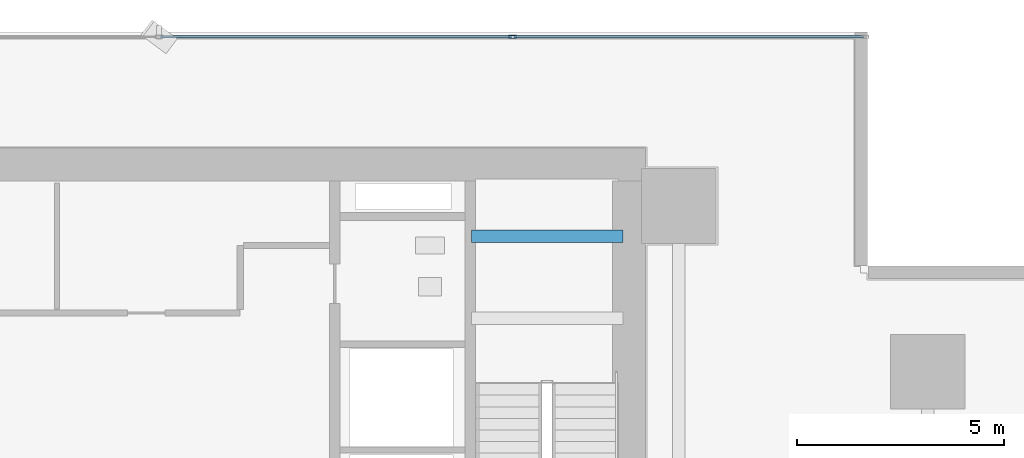
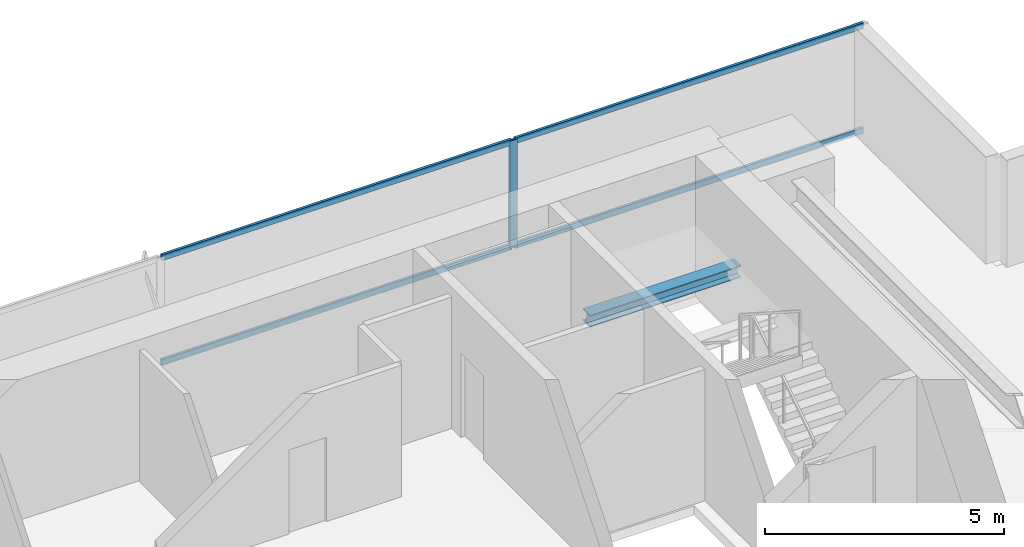
# One storey, part 22 of 34: 5 members, 1 beam, 1 element without a shape of its own.
"""IFC4 building model written with IfcOpenShell, lengths in metres."""

from ifc_helpers import new_model, si_unit, direction, frame, origin, origin_2d, place, context, subcontext, project, spatial, hollow_rectangle, i_section, extrude, source, transform, mapped, material, layer, layer_set, material_profile, profile_set, type_object, element, aggregate, save


model = new_model("IFC4")

# Units and contexts
model_context = context("Model", 3, precision=1e-05, world=origin(), true_north=direction((0.0, 1.0)))
body_context = subcontext(model_context, "Body", "Model", "MODEL_VIEW")
ifc_project = project(units=[si_unit("LENGTHUNIT", "METRE"), si_unit("AREAUNIT", "SQUARE_METRE"), si_unit("VOLUMEUNIT", "CUBIC_METRE"), si_unit("PLANEANGLEUNIT", "RADIAN"), si_unit("MASSUNIT", "GRAM", prefix="KILO")], contexts=[model_context])

# Site, building, storey
site_placement = place(None, origin())
site = spatial("IfcSite", under=ifc_project, at=site_placement, CompositionType="ELEMENT")
building_placement = place(site_placement, origin())
building = spatial("IfcBuilding", under=site, at=building_placement, Name="Sumidabori Civic Tower", CompositionType="ELEMENT")
storey_placement = place(building_placement, frame((0.0, 0.0, 41.60009765625)))
storey = spatial("IfcBuildingStorey", under=building, at=storey_placement, Name="L10", CompositionType="ELEMENT", Elevation=41.60009765625)

# Beam
ifc_material_1 = material(Name="Steel SN490", Category="steel")
ifc_material_profile_1 = material_profile(ifc_material_1, i_section(OverallWidth=0.300048828125, OverallDepth=0.300048828125, WebThickness=0.010986328125, FlangeThickness=0.01904296875, at=origin_2d()), Name="HE 300 B")
ifc_profile_set_1 = profile_set([ifc_material_profile_1], Name="Steel SN490")
beam_type = type_object("IfcBeamType", Name="BM-LDG-300", PredefinedType="BEAM", material=ifc_profile_set_1)
shared_shape_1 = source(origin(), body_context, "Body", "SweptSolid", [
    extrude(i_section(OverallWidth=0.300048828125, OverallDepth=0.300048828125, WebThickness=0.010986328125, FlangeThickness=0.01904296875, at=origin_2d()), origin(), (0.0, 0.0, 1.0), 3.64990234375),
])
beam_placement = place(storey_placement, frame((11.800048828125, 22.069580078125, 1.449951171875), z_axis=(1.0, 0.0, 0.0), x_axis=(0.0, 1.0, 0.0)))
element("IfcBeam", 1, at=beam_placement, inside=storey, type_object=beam_type, Name="Stair ST-2 Landing Trimmer Beam L10-1B", PredefinedType="BEAM", context=body_context, shape_type="MappedRepresentation", body=[
    mapped(shared_shape_1, transform((0.0, 0.0, 0.0), x_axis=(1.0, 0.0, 0.0), y_axis=(0.0, 1.0, 0.0), z_axis=(0.0, 0.0, 1.0), scale=1.0)),
])

# Curtain wall, members
ifc_material_2 = material(Name="Anodised Bronze Aluminium AW-6063-T6", Category="aluminium")
ifc_layer = layer(ifc_material_2, 0.179931640625, Name="Anodised Bronze Aluminium AW-6063-T6")
ifc_layer_set = layer_set([ifc_layer], Name="Anodised Bronze Aluminium AW-6063-T6")
curtain_wall_type = type_object("IfcCurtainWallType", Name="CW-SYS-2", PredefinedType="NOTDEFINED", material=ifc_layer_set)
curtain_wall_placement = place(storey_placement, origin())
curtain_wall = element("IfcCurtainWall", 2, at=curtain_wall_placement, inside=storey, type_object=curtain_wall_type, Name="Curtain Wall CW:L10:R07", PredefinedType="NOTDEFINED")
ifc_material_profile_2 = material_profile(ifc_material_2, hollow_rectangle(XDim=0.070068359375, YDim=0.179931640625, WallThickness=0.006103515625, at=origin_2d()), Name="ALU MULLION 180x70")
ifc_profile_set_2 = profile_set([ifc_material_profile_2], Name="Anodised Bronze Aluminium AW-6063-T6")
member_type_1 = type_object("IfcMemberType", Name="CW-MUL-180", PredefinedType="MULLION", material=ifc_profile_set_2)
shared_shape_2 = source(origin(), body_context, "Body", "SweptSolid", [
    extrude(hollow_rectangle(XDim=0.070068359375, YDim=0.179931640625, WallThickness=0.006103515625, at=origin_2d()), origin(), (0.0, 0.0, 1.0), 2.739990234375),
])
member_1_placement = place(storey_placement, frame((12.7919921875, 26.8798828125, 0.0), z_axis=(0.0, 0.0, 1.0), x_axis=(0.0, -1.0, 0.0)))
member_1 = element("IfcMember", 3, at=member_1_placement, type_object=member_type_1, Name="CW-2 mullion 2", PredefinedType="MULLION", context=body_context, shape_type="MappedRepresentation", body=[
    mapped(shared_shape_2, transform((0.0, 0.0, 0.0), x_axis=(1.0, 0.0, 0.0), y_axis=(0.0, 1.0, 0.0), z_axis=(0.0, 0.0, 1.0), scale=1.0)),
])
ifc_material_profile_3 = material_profile(ifc_material_2, hollow_rectangle(XDim=0.06494140625, YDim=0.14990234375, WallThickness=0.0048828125, at=origin_2d()), Name="ALU TRANSOM 150x65")
ifc_profile_set_3 = profile_set([ifc_material_profile_3], Name="Anodised Bronze Aluminium AW-6063-T6")
member_type_2 = type_object("IfcMemberType", Name="CW-TRN-150", PredefinedType="USERDEFINED", material=ifc_profile_set_3)
shared_shape_3 = source(origin(), body_context, "Body", "SweptSolid", [
    extrude(hollow_rectangle(XDim=0.06494140625, YDim=0.14990234375, WallThickness=0.0048828125, at=origin_2d()), origin(), (0.0, 0.0, 1.0), 8.423095703125),
])
member_2_placement = place(storey_placement, frame((21.25, 26.8798828125, 0.032470703125), z_axis=(-1.0, 0.0, 0.0), x_axis=(0.0, -1.0, 0.0)))
member_2 = element("IfcMember", 4, at=member_2_placement, type_object=member_type_2, Name="CW-2 transom 1.1", ObjectType="TRANSOM", PredefinedType="USERDEFINED", context=body_context, shape_type="MappedRepresentation", body=[
    mapped(shared_shape_3, transform((0.0, 0.0, 0.0), x_axis=(1.0, 0.0, 0.0), y_axis=(0.0, 1.0, 0.0), z_axis=(0.0, 0.0, 1.0), scale=1.0)),
])
member_3_placement = place(storey_placement, frame((21.25, 26.8798828125, 2.70751953125), z_axis=(-1.0, 0.0, 0.0), x_axis=(0.0, -1.0, 0.0)))
member_3 = element("IfcMember", 5, at=member_3_placement, type_object=member_type_2, Name="CW-2 transom 1.2", ObjectType="TRANSOM", PredefinedType="USERDEFINED", context=body_context, shape_type="MappedRepresentation", body=[
    mapped(shared_shape_3, transform((0.0, 0.0, 0.0), x_axis=(1.0, 0.0, 0.0), y_axis=(0.0, 1.0, 0.0), z_axis=(0.0, 0.0, 1.0), scale=1.0)),
])
shared_shape_4 = source(origin(), body_context, "Body", "SweptSolid", [
    extrude(hollow_rectangle(XDim=0.06494140625, YDim=0.14990234375, WallThickness=0.0048828125, at=origin_2d()), origin(), (0.0, 0.0, 1.0), 8.4580078125),
])
member_4_placement = place(storey_placement, frame((12.757080078125, 26.8798828125, 0.032470703125), z_axis=(-1.0, 0.0, 0.0), x_axis=(0.0, -1.0, 0.0)))
member_4 = element("IfcMember", 6, at=member_4_placement, type_object=member_type_2, Name="CW-2 transom 2.1", ObjectType="TRANSOM", PredefinedType="USERDEFINED", context=body_context, shape_type="MappedRepresentation", body=[
    mapped(shared_shape_4, transform((0.0, 0.0, 0.0), x_axis=(1.0, 0.0, 0.0), y_axis=(0.0, 1.0, 0.0), z_axis=(0.0, 0.0, 1.0), scale=1.0)),
])
member_5_placement = place(storey_placement, frame((12.757080078125, 26.8798828125, 2.70751953125), z_axis=(-1.0, 0.0, 0.0), x_axis=(0.0, -1.0, 0.0)))
member_5 = element("IfcMember", 7, at=member_5_placement, type_object=member_type_2, Name="CW-2 transom 2.2", ObjectType="TRANSOM", PredefinedType="USERDEFINED", context=body_context, shape_type="MappedRepresentation", body=[
    mapped(shared_shape_4, transform((0.0, 0.0, 0.0), x_axis=(1.0, 0.0, 0.0), y_axis=(0.0, 1.0, 0.0), z_axis=(0.0, 0.0, 1.0), scale=1.0)),
])
aggregate(curtain_wall, [member_1, member_2, member_3, member_4, member_5])

save(model, "model.ifc")
